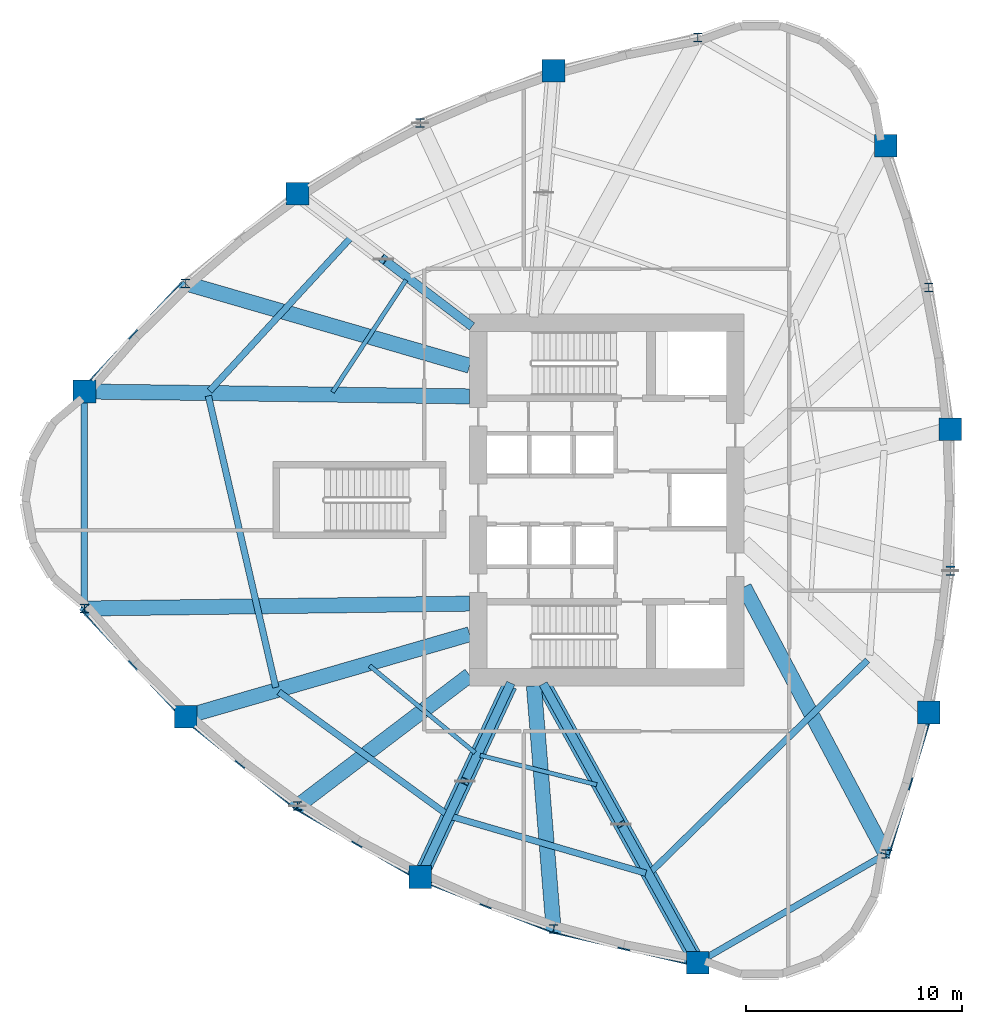
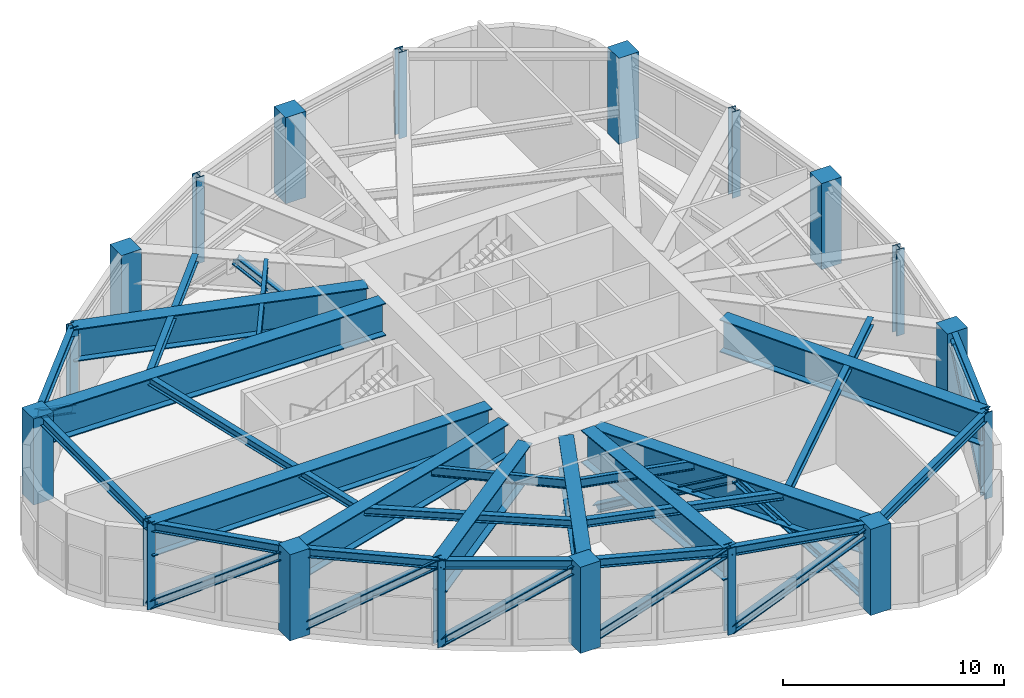
# One storey, part 1 of 9: 26 beams, 18 columns, 12 members.
"""IFC4 building model written with IfcOpenShell, lengths in metres."""

from ifc_helpers import new_model, si_unit, direction, frame, origin, origin_2d, place, context, subcontext, project, spatial, rectangle, i_section, extrude, source, transform, mapped, material, material_profile, profile_set, type_object, element, save


model = new_model("IFC4")

# Units and contexts
model_context = context("Model", 3, precision=1e-05, world=origin(), true_north=direction((0.0, 1.0)))
body_context = subcontext(model_context, "Body", "Model", "MODEL_VIEW")
ifc_project = project(units=[si_unit("LENGTHUNIT", "METRE"), si_unit("AREAUNIT", "SQUARE_METRE"), si_unit("VOLUMEUNIT", "CUBIC_METRE"), si_unit("PLANEANGLEUNIT", "RADIAN"), si_unit("MASSUNIT", "GRAM", prefix="KILO")], contexts=[model_context])

# Site, building, storey
site_placement = place(None, origin())
site = spatial("IfcSite", under=ifc_project, at=site_placement, CompositionType="ELEMENT")
building_placement = place(site_placement, origin())
building = spatial("IfcBuilding", under=site, at=building_placement, Name="Qafzar Sky-Pleat Residences", CompositionType="ELEMENT")
storey_placement = place(building_placement, frame((0.0, 0.0, 65.39990234375)))
storey = spatial("IfcBuildingStorey", under=building, at=storey_placement, Name="L19", CompositionType="ELEMENT", Elevation=65.39990234375)

# Columns
ifc_material_1 = material(Name="Concrete C60/75", Category="concrete")
ifc_material_profile_1 = material_profile(ifc_material_1, rectangle(XDim=1.050048828125, YDim=1.050048828125, at=origin_2d()), Name="RC 1050x1050")
ifc_profile_set_1 = profile_set([ifc_material_profile_1], Name="Concrete C60/75")
column_type_1 = type_object("IfcColumnType", Name="COL-RC-1050", PredefinedType="COLUMN", material=ifc_profile_set_1)
shared_shape_1 = source(origin(), body_context, "Body", "SweptSolid", [
    extrude(rectangle(XDim=1.050048828125, YDim=1.050048828125, at=origin_2d()), origin(), (0.0, 0.0, 1.0), 4.75),
])
for number, where, z_axis, x_axis, name in (
    (1, (6.175048828125, 31.02294921875, 0.0), (0.0, 0.0, 1.0), (1.0, 0.0, 0.0), "L19 Perimeter Mega Column 1"),
    (2, (10.85595703125, 15.97314453125, 0.0), (0.0, 0.0, 1.0), (1.0, 0.0, 0.0), "L19 Perimeter Mega Column 3"),
    (3, (21.712890625, 8.554443359375, 0.0), (0.0, 0.0, 1.0), (1.0, 0.0, 0.0), "L19 Perimeter Mega Column 5"),
    (4, (34.5625, 4.58740234375, 0.0), (0.0, 0.0, 1.0), (1.0, 0.0, 0.0), "L19 Perimeter Mega Column 7"),
    (5, (45.255615234375, 16.166259765625, 0.0), (0.0, 0.0, 1.0), (1.0, 0.0, 0.0), "L19 Perimeter Mega Column 9"),
    (6, (46.251953125, 29.27783203125, 0.0), (0.0, 0.0, 1.0), (1.0, 0.0, 0.0), "L19 Perimeter Mega Column 11"),
    (7, (43.262451171875, 42.389404296875, 0.0), (0.0, 0.0, 1.0), (1.0, 0.0, 0.0), "L19 Perimeter Mega Column 13"),
    (8, (27.888427734375, 45.860595703125, 0.0), (0.0, 0.0, 1.0), (1.0, 0.0, 0.0), "L19 Perimeter Mega Column 15"),
    (9, (16.035400390625, 40.167724609375, 0.0), (0.0, 0.0, 1.0), (1.0, 0.0, 0.0), "L19 Perimeter Mega Column 17"),
):
    element("IfcColumn", number, at=place(storey_placement, frame(where, z_axis=z_axis, x_axis=x_axis)), inside=storey, type_object=column_type_1, Name=name, PredefinedType="COLUMN", context=body_context, shape_type="MappedRepresentation", body=[
        mapped(shared_shape_1, transform((0.0, 0.0, 0.0), x_axis=(1.0, 0.0, 0.0), y_axis=(0.0, 1.0, 0.0), z_axis=(0.0, 0.0, 1.0), scale=1.0)),
    ])
ifc_material_2 = material(Name="Steel S460", Category="steel")
ifc_material_profile_2 = material_profile(ifc_material_2, i_section(OverallWidth=0.408935546875, OverallDepth=0.425048828125, WebThickness=0.030029296875, FlangeThickness=0.048095703125, FilletRadius=0.014892578125, at=origin_2d()), Name="HD 400x421")
ifc_profile_set_2 = profile_set([ifc_material_profile_2], Name="Steel S460")
column_type_2 = type_object("IfcColumnType", Name="COL-STL-HD421", PredefinedType="PILASTER", material=ifc_profile_set_2)
shared_shape_2 = source(origin(), body_context, "Body", "SweptSolid", [
    extrude(i_section(OverallWidth=0.408935546875, OverallDepth=0.425048828125, WebThickness=0.030029296875, FlangeThickness=0.048095703125, FilletRadius=0.014892578125, at=origin_2d()), origin(), (0.0, 0.0, 1.0), 4.75),
])
for number, where, z_axis, x_axis, name in (
    (10, (6.175048828125, 20.97705078125, 0.0), (0.0, 0.0, 1.0), (1.0, 0.0, 0.0), "L19 Perimeter Mega Column 2"),
    (11, (16.035400390625, 11.832275390625, 0.0), (0.0, 0.0, 1.0), (1.0, 0.0, 0.0), "L19 Perimeter Mega Column 4"),
    (12, (27.888427734375, 6.139404296875, 0.0), (0.0, 0.0, 1.0), (1.0, 0.0, 0.0), "L19 Perimeter Mega Column 6"),
    (13, (43.262451171875, 9.610595703125, 0.0), (0.0, 0.0, 1.0), (1.0, 0.0, 0.0), "L19 Perimeter Mega Column 8"),
    (14, (46.251953125, 22.72216796875, 0.0), (0.0, 0.0, 1.0), (1.0, 0.0, 0.0), "L19 Perimeter Mega Column 10"),
    (15, (45.255615234375, 35.833740234375, 0.0), (0.0, 0.0, 1.0), (1.0, 0.0, 0.0), "L19 Perimeter Mega Column 12"),
    (16, (34.5625, 47.41259765625, 0.0), (0.0, 0.0, 1.0), (1.0, 0.0, 0.0), "L19 Perimeter Mega Column 14"),
    (17, (21.712890625, 43.445556640625, 0.0), (0.0, 0.0, 1.0), (1.0, 0.0, 0.0), "L19 Perimeter Mega Column 16"),
    (18, (10.85595703125, 36.02685546875, 0.0), (0.0, 0.0, 1.0), (1.0, 0.0, 0.0), "L19 Perimeter Mega Column 18"),
):
    element("IfcColumn", number, at=place(storey_placement, frame(where, z_axis=z_axis, x_axis=x_axis)), inside=storey, type_object=column_type_2, Name=name, PredefinedType="PILASTER", context=body_context, shape_type="MappedRepresentation", body=[
        mapped(shared_shape_2, transform((0.0, 0.0, 0.0), x_axis=(1.0, 0.0, 0.0), y_axis=(0.0, 1.0, 0.0), z_axis=(0.0, 0.0, 1.0), scale=1.0)),
    ])

# Beams
ifc_material_3 = material(Name="Steel S355", Category="steel")
ifc_material_profile_3 = material_profile(ifc_material_3, i_section(OverallWidth=0.300048828125, OverallDepth=0.5, WebThickness=0.014404296875, FlangeThickness=0.028076171875, FilletRadius=0.027099609375, at=origin_2d()), Name="HEB 500")
ifc_profile_set_3 = profile_set([ifc_material_profile_3], Name="Steel S355")
beam_type_1 = type_object("IfcBeamType", Name="BM-SPAN-HEB500", PredefinedType="SPANDREL", material=ifc_profile_set_3)
shared_shape_3 = source(origin(), body_context, "Body", "SweptSolid", [
    extrude(i_section(OverallWidth=0.300048828125, OverallDepth=0.5, WebThickness=0.014404296875, FlangeThickness=0.028076171875, FilletRadius=0.027099609375, at=origin_2d()), origin(), (0.0, 0.0, 1.0), 10.0458984375),
])
for number, where, z_axis, x_axis, name in (
    (19, (6.175048828125, 31.02294921875, 4.498046875), (0.0, -1.0, 0.0), (1.0, 0.0, 0.0), "L19 Perimeter Spandrel Beam 1"),
    (20, (34.5625, 4.58740234375, 4.498046875), (0.866013584312, 0.500020471368, 0.0), (-0.500020471368, 0.866013584312, 0.0), "L19 Perimeter Spandrel Beam 7"),
):
    element("IfcBeam", number, at=place(storey_placement, frame(where, z_axis=z_axis, x_axis=x_axis)), inside=storey, type_object=beam_type_1, Name=name, PredefinedType="SPANDREL", context=body_context, shape_type="MappedRepresentation", body=[
        mapped(shared_shape_3, transform((0.0, 0.0, 0.0), x_axis=(1.0, 0.0, 0.0), y_axis=(0.0, 1.0, 0.0), z_axis=(0.0, 0.0, 1.0), scale=1.0)),
    ])
shared_shape_4 = source(origin(), body_context, "Body", "SweptSolid", [
    extrude(i_section(OverallWidth=0.300048828125, OverallDepth=0.5, WebThickness=0.014404296875, FlangeThickness=0.028076171875, FilletRadius=0.027099609375, at=origin_2d()), origin(), (0.0, 0.0, 1.0), 6.85205078125),
])
for number, where, z_axis, x_axis, name in (
    (21, (6.175048828125, 20.97705078125, 4.498046875), (0.683144256595, -0.730283455024, 0.0), (0.730283455024, 0.683144256595, 0.0), "L19 Perimeter Spandrel Beam 2"),
    (22, (27.888427734375, 6.139404296875, 4.498046875), (0.974011500326, -0.226498559007, 0.0), (0.226498559007, 0.974011500326, 0.0), "L19 Perimeter Spandrel Beam 6"),
    (23, (43.262451171875, 9.610595703125, 4.498046875), (0.290889380192, 0.95675669242, 0.0), (-0.95675669242, 0.290889380192, 0.0), "L19 Perimeter Spandrel Beam 8"),
    (24, (10.85595703125, 36.02685546875, 4.498046875), (-0.683144256595, -0.730283455024, 0.0), (0.730283455024, -0.683144256595, 0.0), "L19 Perimeter Spandrel Beam 18"),
):
    element("IfcBeam", number, at=place(storey_placement, frame(where, z_axis=z_axis, x_axis=x_axis)), inside=storey, type_object=beam_type_1, Name=name, PredefinedType="SPANDREL", context=body_context, shape_type="MappedRepresentation", body=[
        mapped(shared_shape_4, transform((0.0, 0.0, 0.0), x_axis=(1.0, 0.0, 0.0), y_axis=(0.0, 1.0, 0.0), z_axis=(0.0, 0.0, 1.0), scale=1.0)),
    ])
shared_shape_5 = source(origin(), body_context, "Body", "SweptSolid", [
    extrude(i_section(OverallWidth=0.300048828125, OverallDepth=0.5, WebThickness=0.014404296875, FlangeThickness=0.028076171875, FilletRadius=0.027099609375, at=origin_2d()), origin(), (0.0, 0.0, 1.0), 6.63134765625),
])
beam_1_placement = place(storey_placement, frame((10.85595703125, 15.97314453125, 4.498046875), z_axis=(0.781066323429, -0.624448075027, 0.0), x_axis=(0.624448075027, 0.781066323429, 0.0)))
element("IfcBeam", 25, at=beam_1_placement, inside=storey, type_object=beam_type_1, Name="L19 Perimeter Spandrel Beam 3", PredefinedType="SPANDREL", context=body_context, shape_type="MappedRepresentation", body=[
    mapped(shared_shape_5, transform((0.0, 0.0, 0.0), x_axis=(1.0, 0.0, 0.0), y_axis=(0.0, 1.0, 0.0), z_axis=(0.0, 0.0, 1.0), scale=1.0)),
])
shared_shape_6 = source(origin(), body_context, "Body", "SweptSolid", [
    extrude(i_section(OverallWidth=0.300048828125, OverallDepth=0.5, WebThickness=0.014404296875, FlangeThickness=0.028076171875, FilletRadius=0.027099609375, at=origin_2d()), origin(), (0.0, 0.0, 1.0), 6.5556640625),
])
beam_2_placement = place(storey_placement, frame((16.035400390625, 11.832275390625, 4.498046875), z_axis=(0.866029927155, -0.499992165211, 0.0), x_axis=(0.499992165211, 0.866029927155, 0.0)))
element("IfcBeam", 26, at=beam_2_placement, inside=storey, type_object=beam_type_1, Name="L19 Perimeter Spandrel Beam 4", PredefinedType="SPANDREL", context=body_context, shape_type="MappedRepresentation", body=[
    mapped(shared_shape_6, transform((0.0, 0.0, 0.0), x_axis=(1.0, 0.0, 0.0), y_axis=(0.0, 1.0, 0.0), z_axis=(0.0, 0.0, 1.0), scale=1.0)),
])
shared_shape_7 = source(origin(), body_context, "Body", "SweptSolid", [
    extrude(i_section(OverallWidth=0.300048828125, OverallDepth=0.5, WebThickness=0.014404296875, FlangeThickness=0.028076171875, FilletRadius=0.027099609375, at=origin_2d()), origin(), (0.0, 0.0, 1.0), 6.630859375),
])
beam_3_placement = place(storey_placement, frame((21.712890625, 8.554443359375, 4.498046875), z_axis=(0.931318267356, -0.364206376782, 0.0), x_axis=(0.364206376782, 0.931318267356, 0.0)))
element("IfcBeam", 27, at=beam_3_placement, inside=storey, type_object=beam_type_1, Name="L19 Perimeter Spandrel Beam 5", PredefinedType="SPANDREL", context=body_context, shape_type="MappedRepresentation", body=[
    mapped(shared_shape_7, transform((0.0, 0.0, 0.0), x_axis=(1.0, 0.0, 0.0), y_axis=(0.0, 1.0, 0.0), z_axis=(0.0, 0.0, 1.0), scale=1.0)),
])
ifc_material_profile_4 = material_profile(ifc_material_2, i_section(OverallWidth=0.699951171875, OverallDepth=1.800048828125, WebThickness=0.035888671875, FlangeThickness=0.054931640625, at=origin_2d()), Name="PG 1800x700x55")
ifc_profile_set_4 = profile_set([ifc_material_profile_4], Name="Steel S460")
beam_type_2 = type_object("IfcBeamType", Name="BM-XFER-PG1800", PredefinedType="BEAM", material=ifc_profile_set_4)
shared_shape_8 = source(origin(), body_context, "Body", "SweptSolid", [
    extrude(i_section(OverallWidth=0.699951171875, OverallDepth=1.800048828125, WebThickness=0.035888671875, FlangeThickness=0.054931640625, at=origin_2d()), origin(), (0.0, 0.0, 1.0), 17.826416015625),
])
for number, where, z_axis, x_axis, name in (
    (28, (6.175048828125, 31.02294921875, 3.84814453125), (0.999919406434, -0.012695693659, 0.0), (0.012695693659, 0.999919406434, 0.0), "L20 Setback Transfer Girder 1"),
    (29, (6.175048828125, 20.97705078125, 3.84814453125), (0.999919406434, 0.012695693659, 0.0), (-0.012695693659, 0.999919406434, 0.0), "L20 Setback Transfer Girder 2"),
):
    element("IfcBeam", number, at=place(storey_placement, frame(where, z_axis=z_axis, x_axis=x_axis)), inside=storey, type_object=beam_type_2, Name=name, PredefinedType="BEAM", context=body_context, shape_type="MappedRepresentation", body=[
        mapped(shared_shape_8, transform((0.0, 0.0, 0.0), x_axis=(1.0, 0.0, 0.0), y_axis=(0.0, 1.0, 0.0), z_axis=(0.0, 0.0, 1.0), scale=1.0)),
    ])
shared_shape_9 = source(origin(), body_context, "Body", "SweptSolid", [
    extrude(i_section(OverallWidth=0.699951171875, OverallDepth=1.800048828125, WebThickness=0.035888671875, FlangeThickness=0.054931640625, at=origin_2d()), origin(), (0.0, 0.0, 1.0), 13.686279296875),
])
for number, where, z_axis, x_axis, name in (
    (30, (10.85595703125, 15.97314453125, 3.84814453125), (0.960376727526, 0.278705115177, 0.0), (-0.278705115177, 0.960376727526, 0.0), "L20 Setback Transfer Girder 3"),
    (31, (10.85595703125, 36.02685546875, 3.84814453125), (0.960376727526, -0.278705115177, 0.0), (0.278705115177, 0.960376727526, 0.0), "L20 Setback Transfer Girder 18"),
):
    element("IfcBeam", number, at=place(storey_placement, frame(where, z_axis=z_axis, x_axis=x_axis)), inside=storey, type_object=beam_type_2, Name=name, PredefinedType="BEAM", context=body_context, shape_type="MappedRepresentation", body=[
        mapped(shared_shape_9, transform((0.0, 0.0, 0.0), x_axis=(1.0, 0.0, 0.0), y_axis=(0.0, 1.0, 0.0), z_axis=(0.0, 0.0, 1.0), scale=1.0)),
    ])
shared_shape_10 = source(origin(), body_context, "Body", "SweptSolid", [
    extrude(i_section(OverallWidth=0.699951171875, OverallDepth=1.800048828125, WebThickness=0.035888671875, FlangeThickness=0.054931640625, at=origin_2d()), origin(), (0.0, 0.0, 1.0), 10.00537109375),
])
beam_4_placement = place(storey_placement, frame((16.035400390625, 11.832275390625, 3.84814453125), z_axis=(0.796026757261, 0.605261432543, 0.0), x_axis=(-0.605261432543, 0.796026757261, 0.0)))
element("IfcBeam", 32, at=beam_4_placement, inside=storey, type_object=beam_type_2, Name="L20 Setback Transfer Girder 4", PredefinedType="BEAM", context=body_context, shape_type="MappedRepresentation", body=[
    mapped(shared_shape_10, transform((0.0, 0.0, 0.0), x_axis=(1.0, 0.0, 0.0), y_axis=(0.0, 1.0, 0.0), z_axis=(0.0, 0.0, 1.0), scale=1.0)),
])
shared_shape_11 = source(origin(), body_context, "Body", "SweptSolid", [
    extrude(i_section(OverallWidth=0.699951171875, OverallDepth=1.800048828125, WebThickness=0.035888671875, FlangeThickness=0.054931640625, at=origin_2d()), origin(), (0.0, 0.0, 1.0), 9.764892578125),
])
beam_5_placement = place(storey_placement, frame((21.712890625, 8.554443359375, 3.84814453125), z_axis=(0.423628530092, 0.905836005297, 0.0), x_axis=(-0.905836005297, 0.423628530092, 0.0)))
element("IfcBeam", 33, at=beam_5_placement, inside=storey, type_object=beam_type_2, Name="L20 Setback Transfer Girder 5", PredefinedType="BEAM", context=body_context, shape_type="MappedRepresentation", body=[
    mapped(shared_shape_11, transform((0.0, 0.0, 0.0), x_axis=(1.0, 0.0, 0.0), y_axis=(0.0, 1.0, 0.0), z_axis=(0.0, 0.0, 1.0), scale=1.0)),
])
shared_shape_12 = source(origin(), body_context, "Body", "SweptSolid", [
    extrude(i_section(OverallWidth=0.699951171875, OverallDepth=1.800048828125, WebThickness=0.035888671875, FlangeThickness=0.054931640625, at=origin_2d()), origin(), (0.0, 0.0, 1.0), 11.29736328125),
])
beam_6_placement = place(storey_placement, frame((27.888427734375, 6.139404296875, 3.84814453125), z_axis=(-0.080650495352, 0.996742442961, 0.0), x_axis=(-0.996742442961, -0.080650495352, 0.0)))
element("IfcBeam", 34, at=beam_6_placement, inside=storey, type_object=beam_type_2, Name="L20 Setback Transfer Girder 6", PredefinedType="BEAM", context=body_context, shape_type="MappedRepresentation", body=[
    mapped(shared_shape_12, transform((0.0, 0.0, 0.0), x_axis=(1.0, 0.0, 0.0), y_axis=(0.0, 1.0, 0.0), z_axis=(0.0, 0.0, 1.0), scale=1.0)),
])
shared_shape_13 = source(origin(), body_context, "Body", "SweptSolid", [
    extrude(i_section(OverallWidth=0.699951171875, OverallDepth=1.800048828125, WebThickness=0.035888671875, FlangeThickness=0.054931640625, at=origin_2d()), origin(), (0.0, 0.0, 1.0), 14.6494140625),
])
beam_7_placement = place(storey_placement, frame((34.5625, 4.58740234375, 3.84814453125), z_axis=(-0.484820596455, 0.874613622837, 0.0), x_axis=(-0.874613622837, -0.484820596455, 0.0)))
element("IfcBeam", 35, at=beam_7_placement, inside=storey, type_object=beam_type_2, Name="L20 Setback Transfer Girder 7", PredefinedType="BEAM", context=body_context, shape_type="MappedRepresentation", body=[
    mapped(shared_shape_13, transform((0.0, 0.0, 0.0), x_axis=(1.0, 0.0, 0.0), y_axis=(0.0, 1.0, 0.0), z_axis=(0.0, 0.0, 1.0), scale=1.0)),
])
shared_shape_14 = source(origin(), body_context, "Body", "SweptSolid", [
    extrude(i_section(OverallWidth=0.699951171875, OverallDepth=1.800048828125, WebThickness=0.035888671875, FlangeThickness=0.054931640625, at=origin_2d()), origin(), (0.0, 0.0, 1.0), 13.99072265625),
])
beam_8_placement = place(storey_placement, frame((43.262451171875, 9.610595703125, 3.84814453125), z_axis=(-0.469058682774, 0.88316700126, 0.0), x_axis=(-0.88316700126, -0.469058682774, 0.0)))
element("IfcBeam", 36, at=beam_8_placement, inside=storey, type_object=beam_type_2, Name="L20 Setback Transfer Girder 8", PredefinedType="BEAM", context=body_context, shape_type="MappedRepresentation", body=[
    mapped(shared_shape_14, transform((0.0, 0.0, 0.0), x_axis=(1.0, 0.0, 0.0), y_axis=(0.0, 1.0, 0.0), z_axis=(0.0, 0.0, 1.0), scale=1.0)),
])
ifc_material_profile_5 = material_profile(ifc_material_3, i_section(OverallWidth=0.300048828125, OverallDepth=0.43994140625, WebThickness=0.011474609375, FlangeThickness=0.02099609375, FilletRadius=0.027099609375, at=origin_2d()), Name="HEA 450")
ifc_profile_set_5 = profile_set([ifc_material_profile_5], Name="Steel S355")
beam_type_3 = type_object("IfcBeamType", Name="BM-PLT-HEA450", PredefinedType="BEAM", material=ifc_profile_set_5)
shared_shape_15 = source(origin(), body_context, "Body", "SweptSolid", [
    extrude(i_section(OverallWidth=0.300048828125, OverallDepth=0.43994140625, WebThickness=0.011474609375, FlangeThickness=0.02099609375, FilletRadius=0.027099609375, at=origin_2d()), origin(), (0.0, 0.0, 1.0), 13.850341796875),
])
beam_9_placement = place(storey_placement, frame((11.909423828125, 30.819091796875, 4.528076171875), z_axis=(0.225414325244, -0.974262994255, 0.0), x_axis=(0.974262994255, 0.225414325244, 0.0)))
element("IfcBeam", 37, at=beam_9_placement, inside=storey, type_object=beam_type_3, Name="L19 Outer Secondary Floor Joist 1", PredefinedType="BEAM", context=body_context, shape_type="MappedRepresentation", body=[
    mapped(shared_shape_15, transform((0.0, 0.0, 0.0), x_axis=(1.0, 0.0, 0.0), y_axis=(0.0, 1.0, 0.0), z_axis=(0.0, 0.0, 1.0), scale=1.0)),
])
shared_shape_16 = source(origin(), body_context, "Body", "SweptSolid", [
    extrude(i_section(OverallWidth=0.300048828125, OverallDepth=0.43994140625, WebThickness=0.011474609375, FlangeThickness=0.02099609375, FilletRadius=0.027099609375, at=origin_2d()), origin(), (0.0, 0.0, 1.0), 9.595703125),
])
beam_10_placement = place(storey_placement, frame((15.171142578125, 17.1142578125, 4.528076171875), z_axis=(0.808305684805, -0.588763042243, 0.0), x_axis=(0.588763042243, 0.808305684805, 0.0)))
element("IfcBeam", 38, at=beam_10_placement, inside=storey, type_object=beam_type_3, Name="L19 Outer Secondary Floor Joist 2", PredefinedType="BEAM", context=body_context, shape_type="MappedRepresentation", body=[
    mapped(shared_shape_16, transform((0.0, 0.0, 0.0), x_axis=(1.0, 0.0, 0.0), y_axis=(0.0, 1.0, 0.0), z_axis=(0.0, 0.0, 1.0), scale=1.0)),
])
shared_shape_17 = source(origin(), body_context, "Body", "SweptSolid", [
    extrude(i_section(OverallWidth=0.300048828125, OverallDepth=0.43994140625, WebThickness=0.011474609375, FlangeThickness=0.02099609375, FilletRadius=0.027099609375, at=origin_2d()), origin(), (0.0, 0.0, 1.0), 9.3681640625),
])
beam_11_placement = place(storey_placement, frame((23.166259765625, 11.34716796875, 4.528076171875), z_axis=(0.960039977326, -0.279862898464, 0.0), x_axis=(0.279862898464, 0.960039977326, 0.0)))
element("IfcBeam", 39, at=beam_11_placement, inside=storey, type_object=beam_type_3, Name="L19 Outer Secondary Floor Joist 3", PredefinedType="BEAM", context=body_context, shape_type="MappedRepresentation", body=[
    mapped(shared_shape_17, transform((0.0, 0.0, 0.0), x_axis=(1.0, 0.0, 0.0), y_axis=(0.0, 1.0, 0.0), z_axis=(0.0, 0.0, 1.0), scale=1.0)),
])
shared_shape_18 = source(origin(), body_context, "Body", "SweptSolid", [
    extrude(i_section(OverallWidth=0.300048828125, OverallDepth=0.43994140625, WebThickness=0.011474609375, FlangeThickness=0.02099609375, FilletRadius=0.027099609375, at=origin_2d()), origin(), (0.0, 0.0, 1.0), 14.03076171875),
])
beam_12_placement = place(storey_placement, frame((32.38623046875, 8.781982421875, 4.528076171875), z_axis=(0.715203214138, 0.698916563323, 0.0), x_axis=(-0.698916563323, 0.715203214138, 0.0)))
element("IfcBeam", 40, at=beam_12_placement, inside=storey, type_object=beam_type_3, Name="L19 Outer Secondary Floor Joist 4", PredefinedType="BEAM", context=body_context, shape_type="MappedRepresentation", body=[
    mapped(shared_shape_18, transform((0.0, 0.0, 0.0), x_axis=(1.0, 0.0, 0.0), y_axis=(0.0, 1.0, 0.0), z_axis=(0.0, 0.0, 1.0), scale=1.0)),
])
shared_shape_19 = source(origin(), body_context, "Body", "SweptSolid", [
    extrude(i_section(OverallWidth=0.300048828125, OverallDepth=0.43994140625, WebThickness=0.011474609375, FlangeThickness=0.02099609375, FilletRadius=0.027099609375, at=origin_2d()), origin(), (0.0, 0.0, 1.0), 9.626708984375),
])
beam_13_placement = place(storey_placement, frame((18.492431640625, 38.130615234375, 4.528076171875), z_axis=(-0.677485503688, -0.735536125756, 0.0), x_axis=(0.735536125756, -0.677485503688, 0.0)))
element("IfcBeam", 41, at=beam_13_placement, inside=storey, type_object=beam_type_3, Name="L19 Outer Secondary Floor Joist 9", PredefinedType="BEAM", context=body_context, shape_type="MappedRepresentation", body=[
    mapped(shared_shape_19, transform((0.0, 0.0, 0.0), x_axis=(1.0, 0.0, 0.0), y_axis=(0.0, 1.0, 0.0), z_axis=(0.0, 0.0, 1.0), scale=1.0)),
])
ifc_material_profile_6 = material_profile(ifc_material_3, i_section(OverallWidth=0.199951171875, OverallDepth=0.5, WebThickness=0.01025390625, FlangeThickness=0.01611328125, FilletRadius=0.02099609375, at=origin_2d()), Name="IPE 500")
ifc_profile_set_6 = profile_set([ifc_material_profile_6], Name="Steel S355")
beam_type_4 = type_object("IfcBeamType", Name="BM-SEC-IPE500", PredefinedType="BEAM", material=ifc_profile_set_6)
shared_shape_20 = source(origin(), body_context, "Body", "SweptSolid", [
    extrude(i_section(OverallWidth=0.199951171875, OverallDepth=0.5, WebThickness=0.01025390625, FlangeThickness=0.01611328125, FilletRadius=0.02099609375, at=origin_2d()), origin(), (0.0, 0.0, 1.0), 6.330078125),
])
beam_14_placement = place(storey_placement, frame((19.372314453125, 18.32861328125, 4.498046875), z_axis=(0.771546008557, -0.636173527176, 0.0), x_axis=(0.636173527176, 0.771546008557, 0.0)))
element("IfcBeam", 42, at=beam_14_placement, inside=storey, type_object=beam_type_4, Name="L19 Inner Secondary Floor Joist 2", PredefinedType="BEAM", context=body_context, shape_type="MappedRepresentation", body=[
    mapped(shared_shape_20, transform((0.0, 0.0, 0.0), x_axis=(1.0, 0.0, 0.0), y_axis=(0.0, 1.0, 0.0), z_axis=(0.0, 0.0, 1.0), scale=1.0)),
])
shared_shape_21 = source(origin(), body_context, "Body", "SweptSolid", [
    extrude(i_section(OverallWidth=0.199951171875, OverallDepth=0.5, WebThickness=0.01025390625, FlangeThickness=0.01611328125, FilletRadius=0.02099609375, at=origin_2d()), origin(), (0.0, 0.0, 1.0), 5.56396484375),
])
beam_15_placement = place(storey_placement, frame((24.4912109375, 14.1826171875, 4.498046875), z_axis=(0.969574612076, -0.24479597958, 0.0), x_axis=(0.24479597958, 0.969574612076, 0.0)))
element("IfcBeam", 43, at=beam_15_placement, inside=storey, type_object=beam_type_4, Name="L19 Inner Secondary Floor Joist 3", PredefinedType="BEAM", context=body_context, shape_type="MappedRepresentation", body=[
    mapped(shared_shape_21, transform((0.0, 0.0, 0.0), x_axis=(1.0, 0.0, 0.0), y_axis=(0.0, 1.0, 0.0), z_axis=(0.0, 0.0, 1.0), scale=1.0)),
])
shared_shape_22 = source(origin(), body_context, "Body", "SweptSolid", [
    extrude(i_section(OverallWidth=0.199951171875, OverallDepth=0.5, WebThickness=0.01025390625, FlangeThickness=0.01611328125, FilletRadius=0.02099609375, at=origin_2d()), origin(), (0.0, 0.0, 1.0), 6.20361328125),
])
beam_16_placement = place(storey_placement, frame((21.05859375, 36.178955078125, 4.498046875), z_axis=(-0.548317711272, -0.836270104395, 0.0), x_axis=(0.836270104395, -0.548317711272, 0.0)))
element("IfcBeam", 44, at=beam_16_placement, inside=storey, type_object=beam_type_4, Name="L19 Inner Secondary Floor Joist 9", PredefinedType="BEAM", context=body_context, shape_type="MappedRepresentation", body=[
    mapped(shared_shape_22, transform((0.0, 0.0, 0.0), x_axis=(1.0, 0.0, 0.0), y_axis=(0.0, 1.0, 0.0), z_axis=(0.0, 0.0, 1.0), scale=1.0)),
])

# Members
ifc_material_profile_7 = material_profile(ifc_material_2, i_section(OverallWidth=0.406005859375, OverallDepth=0.416015625, WebThickness=0.027099609375, FlangeThickness=0.0439453125, FilletRadius=0.014892578125, at=origin_2d()), Name="HD 400x382")
ifc_profile_set_7 = profile_set([ifc_material_profile_7], Name="Steel S460")
member_type_1 = type_object("IfcMemberType", Name="MEM-BELT-HD382", PredefinedType="BRACE", material=ifc_profile_set_7)
shared_shape_23 = source(origin(), body_context, "Body", "SweptSolid", [
    extrude(i_section(OverallWidth=0.406005859375, OverallDepth=0.416015625, WebThickness=0.027099609375, FlangeThickness=0.0439453125, FilletRadius=0.014892578125, at=origin_2d()), origin(), (0.0, 0.0, 1.0), 8.14306640625),
])
for number, where, z_axis, x_axis, name in (
    (45, (6.175048828125, 20.97705078125, 0.150146484375), (0.574835382463, -0.614500912688, 0.540326670982), (0.730283455024, 0.683144256595, 0.0), "L19 Belt Truss Diagonal 2"),
    (46, (27.888427734375, 6.139404296875, 0.150146484375), (0.819592201048, -0.190589590008, 0.540318639473), (0.226498559007, 0.974011500326, 0.0), "L19 Belt Truss Diagonal 6"),
    (47, (43.262451171875, 9.610595703125, 0.150146484375), (0.244770007376, 0.805066663164, 0.540328891835), (-0.95675669242, 0.290889380192, 0.0), "L19 Belt Truss Diagonal 8"),
    (48, (10.85595703125, 36.02685546875, 0.150146484375), (-0.574835382463, -0.614500912688, 0.540326670982), (0.730283455024, -0.683144256595, 0.0), "L19 Belt Truss Diagonal 18"),
):
    element("IfcMember", number, at=place(storey_placement, frame(where, z_axis=z_axis, x_axis=x_axis)), inside=storey, type_object=member_type_1, Name=name, PredefinedType="BRACE", context=body_context, shape_type="MappedRepresentation", body=[
        mapped(shared_shape_23, transform((0.0, 0.0, 0.0), x_axis=(1.0, 0.0, 0.0), y_axis=(0.0, 1.0, 0.0), z_axis=(0.0, 0.0, 1.0), scale=1.0)),
    ])
shared_shape_24 = source(origin(), body_context, "Body", "SweptSolid", [
    extrude(i_section(OverallWidth=0.406005859375, OverallDepth=0.416015625, WebThickness=0.027099609375, FlangeThickness=0.0439453125, FilletRadius=0.014892578125, at=origin_2d()), origin(), (0.0, 0.0, 1.0), 7.958251953125),
])
member_1_placement = place(storey_placement, frame((10.85595703125, 15.97314453125, 0.150146484375), z_axis=(0.650832943163, -0.520328896959, 0.552878213608), x_axis=(0.624448075027, 0.781066323429, 0.0)))
element("IfcMember", 49, at=member_1_placement, inside=storey, type_object=member_type_1, Name="L19 Belt Truss Diagonal 3", PredefinedType="BRACE", context=body_context, shape_type="MappedRepresentation", body=[
    mapped(shared_shape_24, transform((0.0, 0.0, 0.0), x_axis=(1.0, 0.0, 0.0), y_axis=(0.0, 1.0, 0.0), z_axis=(0.0, 0.0, 1.0), scale=1.0)),
])
shared_shape_25 = source(origin(), body_context, "Body", "SweptSolid", [
    extrude(i_section(OverallWidth=0.406005859375, OverallDepth=0.416015625, WebThickness=0.027099609375, FlangeThickness=0.0439453125, FilletRadius=0.014892578125, at=origin_2d()), origin(), (0.0, 0.0, 1.0), 7.8955078125),
])
member_2_placement = place(storey_placement, frame((16.035400390625, 11.832275390625, 0.150146484375), z_axis=(0.719089065216, -0.415157591468, 0.557274699348), x_axis=(0.499992165211, 0.866029927155, 0.0)))
element("IfcMember", 50, at=member_2_placement, inside=storey, type_object=member_type_1, Name="L19 Belt Truss Diagonal 4", PredefinedType="BRACE", context=body_context, shape_type="MappedRepresentation", body=[
    mapped(shared_shape_25, transform((0.0, 0.0, 0.0), x_axis=(1.0, 0.0, 0.0), y_axis=(0.0, 1.0, 0.0), z_axis=(0.0, 0.0, 1.0), scale=1.0)),
])
shared_shape_26 = source(origin(), body_context, "Body", "SweptSolid", [
    extrude(i_section(OverallWidth=0.406005859375, OverallDepth=0.416015625, WebThickness=0.027099609375, FlangeThickness=0.0439453125, FilletRadius=0.014892578125, at=origin_2d()), origin(), (0.0, 0.0, 1.0), 7.9580078125),
])
member_3_placement = place(storey_placement, frame((21.712890625, 8.554443359375, 0.150146484375), z_axis=(0.776022051119, -0.30347539552, 0.552894619698), x_axis=(0.364206376782, 0.931318267356, 0.0)))
element("IfcMember", 51, at=member_3_placement, inside=storey, type_object=member_type_1, Name="L19 Belt Truss Diagonal 5", PredefinedType="BRACE", context=body_context, shape_type="MappedRepresentation", body=[
    mapped(shared_shape_26, transform((0.0, 0.0, 0.0), x_axis=(1.0, 0.0, 0.0), y_axis=(0.0, 1.0, 0.0), z_axis=(0.0, 0.0, 1.0), scale=1.0)),
])
ifc_material_profile_8 = material_profile(ifc_material_2, i_section(OverallWidth=0.408935546875, OverallDepth=0.425048828125, WebThickness=0.030029296875, FlangeThickness=0.048095703125, FilletRadius=0.014892578125, at=origin_2d()), Name="HD 400x421")
ifc_profile_set_8 = profile_set([ifc_material_profile_8], Name="Steel S460")
member_type_2 = type_object("IfcMemberType", Name="MEM-OUT-HD421", PredefinedType="BRACE", material=ifc_profile_set_8)
shared_shape_27 = source(origin(), body_context, "Body", "SweptSolid", [
    extrude(i_section(OverallWidth=0.408935546875, OverallDepth=0.425048828125, WebThickness=0.030029296875, FlangeThickness=0.048095703125, FilletRadius=0.014892578125, at=origin_2d()), origin(), (0.0, 0.0, 1.0), 6.505859375),
])
member_4_placement = place(storey_placement, frame((25.849609375, 17.39990234375, 0.2001953125), z_axis=(-0.317923743624, -0.679790913096, 0.660915128978), x_axis=(0.905831518314, -0.423638124381, 0.0)))
element("IfcMember", 52, at=member_4_placement, inside=storey, type_object=member_type_2, Name="L19 Outrigger Truss Diagonal 3A", PredefinedType="BRACE", context=body_context, shape_type="MappedRepresentation", body=[
    mapped(shared_shape_27, transform((0.0, 0.0, 0.0), x_axis=(1.0, 0.0, 0.0), y_axis=(0.0, 1.0, 0.0), z_axis=(0.0, 0.0, 1.0), scale=1.0)),
])
shared_shape_28 = source(origin(), body_context, "Body", "SweptSolid", [
    extrude(i_section(OverallWidth=0.408935546875, OverallDepth=0.425048828125, WebThickness=0.030029296875, FlangeThickness=0.048095703125, FilletRadius=0.014892578125, at=origin_2d()), origin(), (0.0, 0.0, 1.0), 6.506103515625),
])
member_5_placement = place(storey_placement, frame((23.78125, 12.977294921875, 4.5), z_axis=(-0.31791563344, -0.679811097191, -0.660898269139), x_axis=(0.905840491975, -0.42361893619, 0.0)))
element("IfcMember", 53, at=member_5_placement, inside=storey, type_object=member_type_2, Name="L19 Outrigger Truss Diagonal 3B", PredefinedType="BRACE", context=body_context, shape_type="MappedRepresentation", body=[
    mapped(shared_shape_28, transform((0.0, 0.0, 0.0), x_axis=(1.0, 0.0, 0.0), y_axis=(0.0, 1.0, 0.0), z_axis=(0.0, 0.0, 1.0), scale=1.0)),
])
shared_shape_29 = source(origin(), body_context, "Body", "SweptSolid", [
    extrude(i_section(OverallWidth=0.408935546875, OverallDepth=0.425048828125, WebThickness=0.030029296875, FlangeThickness=0.048095703125, FilletRadius=0.014892578125, at=origin_2d()), origin(), (0.0, 0.0, 1.0), 8.493408203125),
])
for number, where, z_axis, x_axis, name in (
    (54, (27.460205078125, 17.39990234375, 0.2001953125), (0.418115187905, -0.754251514549, 0.506245338195), (0.874606556052, 0.484833344677, 0.0), "L19 Outrigger Truss Diagonal 4A"),
    (55, (31.011474609375, 10.99365234375, 4.5), (0.418091468231, -0.754260579331, -0.506251422377), (0.874620689551, 0.484807847924, 0.0), "L19 Outrigger Truss Diagonal 4B"),
):
    element("IfcMember", number, at=place(storey_placement, frame(where, z_axis=z_axis, x_axis=x_axis)), inside=storey, type_object=member_type_2, Name=name, PredefinedType="BRACE", context=body_context, shape_type="MappedRepresentation", body=[
        mapped(shared_shape_29, transform((0.0, 0.0, 0.0), x_axis=(1.0, 0.0, 0.0), y_axis=(0.0, 1.0, 0.0), z_axis=(0.0, 0.0, 1.0), scale=1.0)),
    ])
shared_shape_30 = source(origin(), body_context, "Body", "SweptSolid", [
    extrude(i_section(OverallWidth=0.408935546875, OverallDepth=0.425048828125, WebThickness=0.030029296875, FlangeThickness=0.048095703125, FilletRadius=0.014892578125, at=origin_2d()), origin(), (0.0, 0.0, 1.0), 6.5966796875),
])
member_6_placement = place(storey_placement, frame((24.0, 34.11181640625, 0.2001953125), z_axis=(-0.603703818371, 0.458995509774, 0.651816555245), x_axis=(-0.605234214148, -0.796047452119, 0.0)))
element("IfcMember", 56, at=member_6_placement, inside=storey, type_object=member_type_2, Name="L19 Outrigger Truss Diagonal 9A", PredefinedType="BRACE", context=body_context, shape_type="MappedRepresentation", body=[
    mapped(shared_shape_30, transform((0.0, 0.0, 0.0), x_axis=(1.0, 0.0, 0.0), y_axis=(0.0, 1.0, 0.0), z_axis=(0.0, 0.0, 1.0), scale=1.0)),
])

save(model, "model.ifc")
